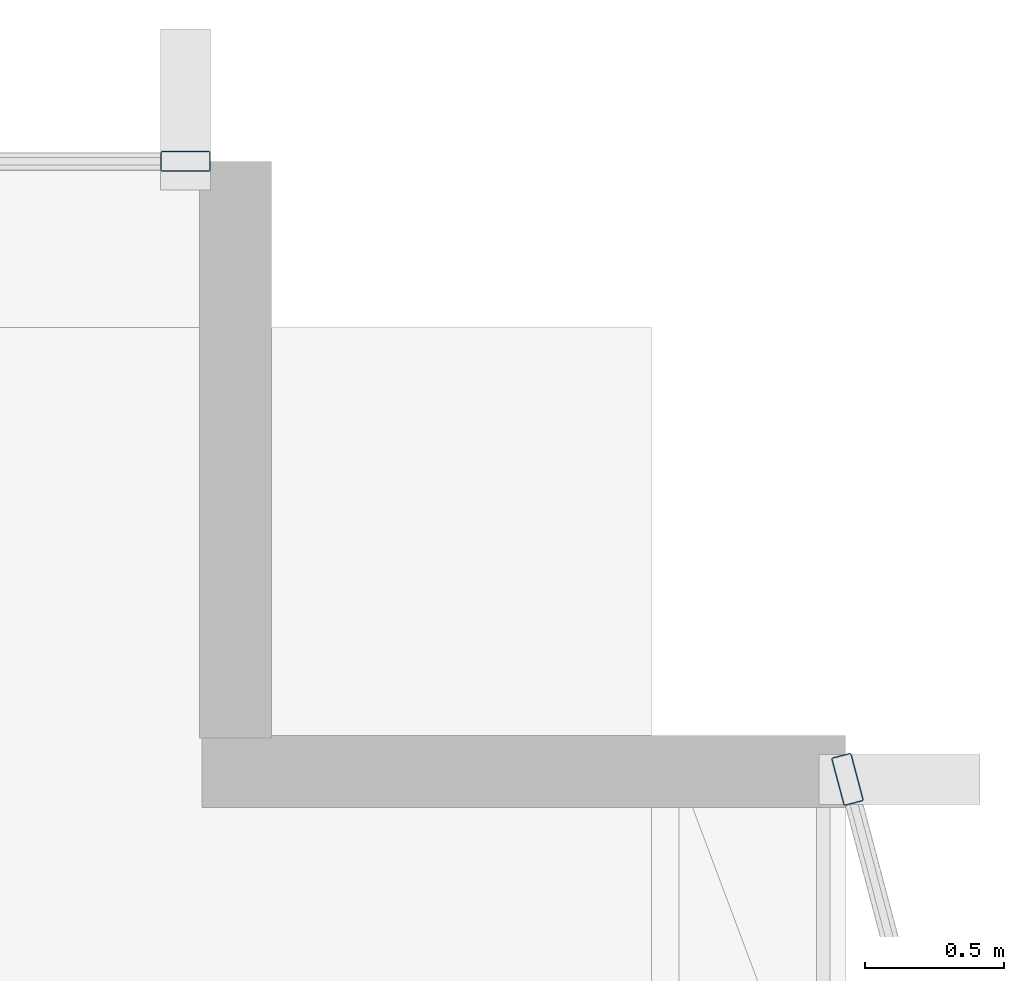
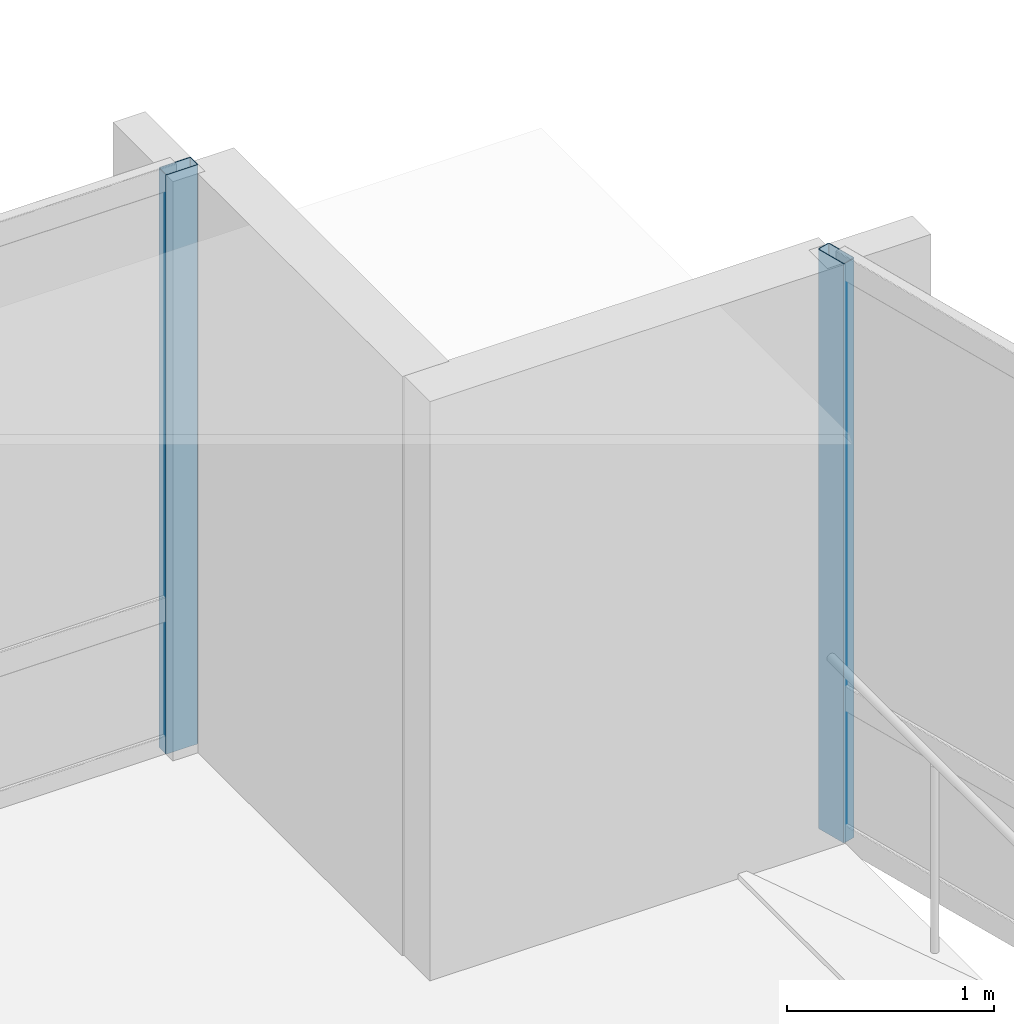
# One storey, part 14 of 27: 2 members, 2 elements without a shape of their own.
"""IFC4 building model written with IfcOpenShell, lengths in metres."""

import ifcopenshell
import ifcopenshell.guid

model = None  # the IFC model being written
_history = None  # IfcOwnerHistory: only IFC2X3 demands one
_inside = {}  # id of a spatial element -> (the spatial element, [elements in it])
_under = {}  # id of a project, library or spatial element -> (it, [spatial elements below it])
_declared = {}  # id of a project -> (the project, [libraries it declares])
_typed = {}  # id of a type object -> (the type object, [elements of that type])
_made_of = {}  # id of a material, layer set ... -> (it, [elements and type objects made of it])


def new_model(schema):
    """Start an empty IFC model of exactly this schema.

    Asked for "IFC4X3", IfcOpenShell would pick the latest addendum, in which some entities
    have other attributes; the version numbers below select the first issue.
    IFC2X3 requires an IfcOwnerHistory on every rooted entity: one is made here for all.
    """
    global model, _history
    if schema == "IFC4X3":
        model = ifcopenshell.file(schema_version=(4, 3, 0, 0))
    else:
        model = ifcopenshell.file(schema=schema)
    _inside.clear()
    _under.clear()
    _declared.clear()
    _typed.clear()
    _made_of.clear()
    _history = None
    if model.schema == "IFC2X3":
        org = make("IfcOrganization", Name="unknown")
        user = make(
            "IfcPersonAndOrganization",
            ThePerson=make("IfcPerson", FamilyName="unknown"),
            TheOrganization=org,
        )
        app = make(
            "IfcApplication",
            ApplicationDeveloper=org,
            Version="unknown",
            ApplicationFullName="unknown",
            ApplicationIdentifier="unknown",
        )
        _history = make(
            "IfcOwnerHistory",
            OwningUser=user,
            OwningApplication=app,
            ChangeAction="ADDED",
            CreationDate=0,
        )
    return model


def make(cls, **values):
    """One entity of the class cls with the attributes given. An attribute that is None is left unset."""
    return model.create_entity(
        cls, **{name: value for name, value in values.items() if value is not None}
    )


def rooted(cls, **values):
    """An entity with a GlobalId (a new one), such as an element, a storey or a relation."""
    return make(cls, GlobalId=ifcopenshell.guid.new(), OwnerHistory=_history, **values)


def si_unit(unit_type, name, prefix=None):
    """IfcSIUnit, for example si_unit("LENGTHUNIT", "METRE", prefix="MILLI")."""
    return make("IfcSIUnit", UnitType=unit_type, Prefix=prefix, Name=name)


def assignment(units):
    """IfcUnitAssignment: the units of a project."""
    return None if units is None else make("IfcUnitAssignment", Units=units)


def point(xyz):
    """IfcCartesianPoint."""
    return None if xyz is None else make("IfcCartesianPoint", Coordinates=xyz)


def direction(xyz):
    """IfcDirection."""
    return None if xyz is None else make("IfcDirection", DirectionRatios=xyz)


def frame(location, z_axis=None, x_axis=None):
    """IfcAxis2Placement3D, a coordinate frame: its origin and axes. An axis left out is left unset."""
    return make(
        "IfcAxis2Placement3D",
        Location=point(location),
        Axis=direction(z_axis),
        RefDirection=direction(x_axis),
    )


def frame_2d(location, x_axis=None):
    """IfcAxis2Placement2D, a coordinate frame in the plane: its origin and x axis."""
    return make(
        "IfcAxis2Placement2D", Location=point(location), RefDirection=direction(x_axis)
    )


def origin():
    """The frame at (0, 0, 0) with its axes left unset."""
    return frame((0.0, 0.0, 0.0))


def origin_2d():
    """The frame at (0, 0) in the plane with its x axis left unset."""
    return frame_2d((0.0, 0.0))


def place(relative_to, where):
    """IfcLocalPlacement: puts the frame where relative to a parent placement (None: the world)."""
    return make(
        "IfcLocalPlacement", PlacementRelTo=relative_to, RelativePlacement=where
    )


def context(
    kind, dimensions, precision=None, world=None, true_north=None, identifier=None
):
    """IfcGeometricRepresentationContext, for example the 3D "Model" context."""
    return make(
        "IfcGeometricRepresentationContext",
        ContextIdentifier=identifier,
        ContextType=kind,
        CoordinateSpaceDimension=dimensions,
        Precision=precision,
        WorldCoordinateSystem=world,
        TrueNorth=true_north,
    )


def subcontext(parent, identifier, kind, view, scale=None):
    """IfcGeometricRepresentationSubContext, for example "Body" below "Model"."""
    return make(
        "IfcGeometricRepresentationSubContext",
        ContextIdentifier=identifier,
        ContextType=kind,
        ParentContext=parent,
        TargetScale=scale,
        TargetView=view,
    )


def project(units=None, contexts=None):
    """IfcProject with its units and contexts."""
    return rooted(
        "IfcProject",
        Name="project",
        RepresentationContexts=contexts,
        UnitsInContext=assignment(units),
    )


def spatial(cls, under=None, at=None, **own):
    """A site, building, storey or space (cls), placed at a placement, below another one or the project."""
    s = rooted(cls, ObjectPlacement=at, **own)
    if under is not None:
        _under.setdefault(under.id(), (under, []))[1].append(s)
    return s


def profile(cls, at=None, kind="AREA", **sizes):
    """A parametric profile (cls). Its sizes go by their IFC names, for example OverallWidth=200.0."""
    return make(cls, ProfileType=kind, Position=at, **sizes)


def hollow_rectangle(**sizes):
    """IfcRectangleHollowProfileDef."""
    return profile("IfcRectangleHollowProfileDef", **sizes)


def extrude(swept, where, along, depth):
    """IfcExtrudedAreaSolid: the profile swept, set in the frame where, extruded along a direction by depth."""
    return make(
        "IfcExtrudedAreaSolid",
        SweptArea=swept,
        Position=where,
        ExtrudedDirection=direction(along),
        Depth=depth,
    )


def shape(context_of_items, identifier, shape_type, items):
    """IfcShapeRepresentation: the items that make up one representation, for example the "Body"."""
    return make(
        "IfcShapeRepresentation",
        ContextOfItems=context_of_items,
        RepresentationIdentifier=identifier,
        RepresentationType=shape_type,
        Items=items,
    )


def material(Name=None, Category=None):
    """IfcMaterial."""
    return make("IfcMaterial", Name=Name, Category=Category)


def layer(
    of_material, thickness, ventilated=None, Name=None, Category=None, Priority=None
):
    """IfcMaterialLayer: one layer of a wall or slab, of a material (None: an air gap)."""
    return make(
        "IfcMaterialLayer",
        Material=of_material,
        LayerThickness=thickness,
        IsVentilated=ventilated,
        Name=Name,
        Category=Category,
        Priority=Priority,
    )


def layer_set(layers, Name=None):
    """IfcMaterialLayerSet."""
    return make("IfcMaterialLayerSet", MaterialLayers=layers, LayerSetName=Name)


def material_profile(
    of_material, cross_section, Name=None, Category=None, Priority=None
):
    """IfcMaterialProfile: a cross section and its material."""
    return make(
        "IfcMaterialProfile",
        Name=Name,
        Material=of_material,
        Profile=cross_section,
        Priority=Priority,
        Category=Category,
    )


def profile_set(profiles, Name=None, composite=None):
    """IfcMaterialProfileSet."""
    return make(
        "IfcMaterialProfileSet",
        Name=Name,
        MaterialProfiles=profiles,
        CompositeProfile=composite,
    )


def made_of(thing, what):
    """Note that an element or type object is made of a material, layer set ...; save() writes the relation."""
    if what is not None:
        _made_of.setdefault(what.id(), (what, []))[1].append(thing)
    return thing


def type_object(cls, material=None, **own):
    """A type object (cls), such as IfcWallType, which elements share."""
    return made_of(rooted(cls, **own), material)


def element(
    cls,
    number,
    at=None,
    inside=None,
    cuts=None,
    type_object=None,
    material=None,
    context=None,
    identifier="Body",
    shape_type=None,
    held_by="IfcProductDefinitionShape",
    body=None,
    shapes=None,
    **own,
):
    """One element of the class cls, such as IfcWall. Its Tag is "e" and its number.

    at: its placement. inside: the storey or other place that contains it. cuts: it is an
    opening in that element (IfcRelVoidsElement). A single representation is given by context,
    identifier, shape_type and body (its items); several are given by shapes. held_by: the class
    of the entity that holds the representations. save() writes the other relations.
    """
    e = rooted(cls, Tag="e%d" % number, ObjectPlacement=at, **own)
    if body is not None:
        shapes = [shape(context, identifier, shape_type, body)]
    if shapes is not None:
        e.Representation = make(held_by, Representations=shapes)
    if inside is not None:
        _inside.setdefault(inside.id(), (inside, []))[1].append(e)
    if cuts is not None:
        rooted(
            "IfcRelVoidsElement", RelatingBuildingElement=cuts, RelatedOpeningElement=e
        )
    if type_object is not None:
        _typed.setdefault(type_object.id(), (type_object, []))[1].append(e)
    return made_of(e, material)


def aggregate(whole, parts):
    """IfcRelAggregates: a whole, such as a stair, and the parts it consists of."""
    return rooted("IfcRelAggregates", RelatingObject=whole, RelatedObjects=parts)


def save(model, path):
    """Write the relations noted so far, then the file.

    IfcRelAggregates (storeys below a building ...), IfcRelContainedInSpatialStructure (elements
    in a storey), IfcRelDefinesByType, IfcRelAssociatesMaterial and IfcRelDeclares: one each for
    every whole, place, type object, material and project.
    """
    for whole, parts in _under.values():
        aggregate(whole, parts)
    for where, things in _inside.values():
        rooted(
            "IfcRelContainedInSpatialStructure",
            RelatedElements=things,
            RelatingStructure=where,
        )
    for kind, things in _typed.values():
        rooted("IfcRelDefinesByType", RelatedObjects=things, RelatingType=kind)
    for what, things in _made_of.values():
        rooted("IfcRelAssociatesMaterial", RelatedObjects=things, RelatingMaterial=what)
    for by, libraries in _declared.values():
        rooted("IfcRelDeclares", RelatingContext=by, RelatedDefinitions=libraries)
    model.write(path)


model = new_model("IFC4")

# Units and contexts
model_context = context("Model", 3, precision=1e-05, world=origin(), true_north=direction((0.0, 1.0)))
body_context = subcontext(model_context, "Body", "Model", "MODEL_VIEW")
ifc_project = project(units=[si_unit("LENGTHUNIT", "METRE"), si_unit("AREAUNIT", "SQUARE_METRE"), si_unit("VOLUMEUNIT", "CUBIC_METRE"), si_unit("PLANEANGLEUNIT", "RADIAN"), si_unit("MASSUNIT", "GRAM", prefix="KILO")], contexts=[model_context])

# Site, building, storey
site_placement = place(None, origin())
site = spatial("IfcSite", under=ifc_project, at=site_placement, CompositionType="ELEMENT")
building_placement = place(site_placement, origin())
building = spatial("IfcBuilding", under=site, at=building_placement, Name="Solvaryn Broadcast Tower", CompositionType="ELEMENT")
storey_placement = place(building_placement, frame((0.0, 0.0, 177.89990234375)))
storey = spatial("IfcBuildingStorey", under=building, at=storey_placement, Name="L44", CompositionType="ELEMENT", Elevation=177.89990234375)

# Curtain wall, member
ifc_material_1 = material(Name="Aluminium and Terracotta Unitised Curtain Wall", Category="masonry")
ifc_layer = layer(ifc_material_1, 0.199951171875)
ifc_layer_set = layer_set([ifc_layer], Name="CW-SYS2-LOWMID")
curtain_wall_type = type_object("IfcCurtainWallType", Name="CW-SYS2-LOWMID", PredefinedType="NOTDEFINED", material=ifc_layer_set)
curtain_wall_1_placement = place(storey_placement, origin())
curtain_wall_1 = element("IfcCurtainWall", 1, at=curtain_wall_1_placement, inside=storey, type_object=curtain_wall_type, Name="L44 Curtain Wall ET1", PredefinedType="NOTDEFINED")
ifc_material_2 = material(Name="Anodised Aluminium 6063-T6", Category="aluminium")
ifc_material_profile = material_profile(ifc_material_2, hollow_rectangle(XDim=0.074951171875, YDim=0.179931640625, WallThickness=0.00390625, InnerFilletRadius=0.00390625, OuterFilletRadius=0.008056640625, at=origin_2d()))
ifc_profile_set = profile_set([ifc_material_profile], Name="Anodised Aluminium 6063-T6")
member_type = type_object("IfcMemberType", Name="CW-MUL-180", PredefinedType="MULLION", material=ifc_profile_set)
member_1_placement = place(storey_placement, frame((54.007568359375, 24.77099609375, 0.0), z_axis=(0.0, 0.0, 1.0), x_axis=(0.966705227863, 0.25589256031, 0.0)))
member_1 = element("IfcMember", 2, at=member_1_placement, type_object=member_type, Name="CWS2 mullion 1", PredefinedType="MULLION", context=body_context, shape_type="SweptSolid", body=[
    extrude(hollow_rectangle(XDim=0.074951171875, YDim=0.179931640625, WallThickness=0.00390625, InnerFilletRadius=0.00390625, OuterFilletRadius=0.008056640625, at=origin_2d()), origin(), (0.0, 0.0, 1.0), 3.420166015625),
])
aggregate(curtain_wall_1, [member_1])

curtain_wall_2_placement = place(storey_placement, origin())
curtain_wall_2 = element("IfcCurtainWall", 3, at=curtain_wall_2_placement, inside=storey, type_object=curtain_wall_type, Name="L44 Curtain Wall IH", PredefinedType="NOTDEFINED")
member_2_placement = place(storey_placement, frame((51.6201171875, 27.0, 0.0), z_axis=(0.0, 0.0, 1.0), x_axis=(0.0, 1.0, 0.0)))
member_2 = element("IfcMember", 4, at=member_2_placement, type_object=member_type, Name="CWS2 mullion 2", PredefinedType="MULLION", context=body_context, shape_type="SweptSolid", body=[
    extrude(hollow_rectangle(XDim=0.074951171875, YDim=0.179931640625, WallThickness=0.00390625, InnerFilletRadius=0.00390625, OuterFilletRadius=0.008056640625, at=origin_2d()), origin(), (0.0, 0.0, 1.0), 3.420166015625),
])
aggregate(curtain_wall_2, [member_2])

save(model, "model.ifc")
